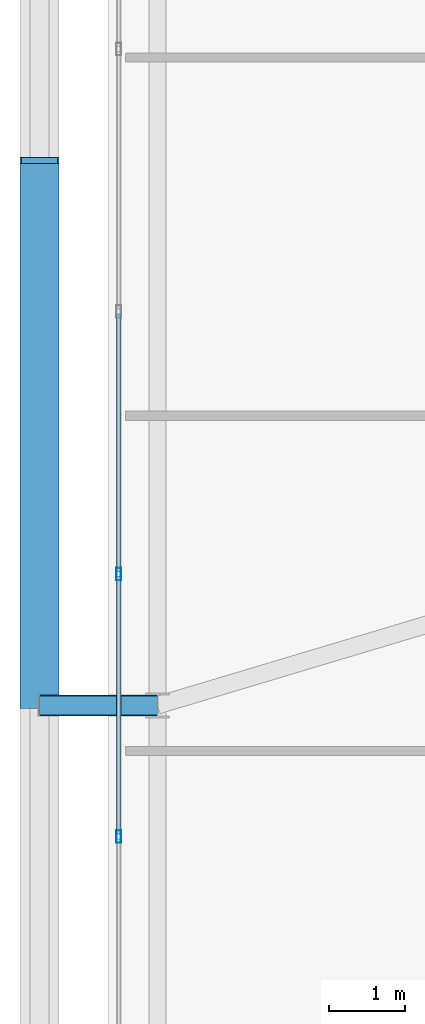
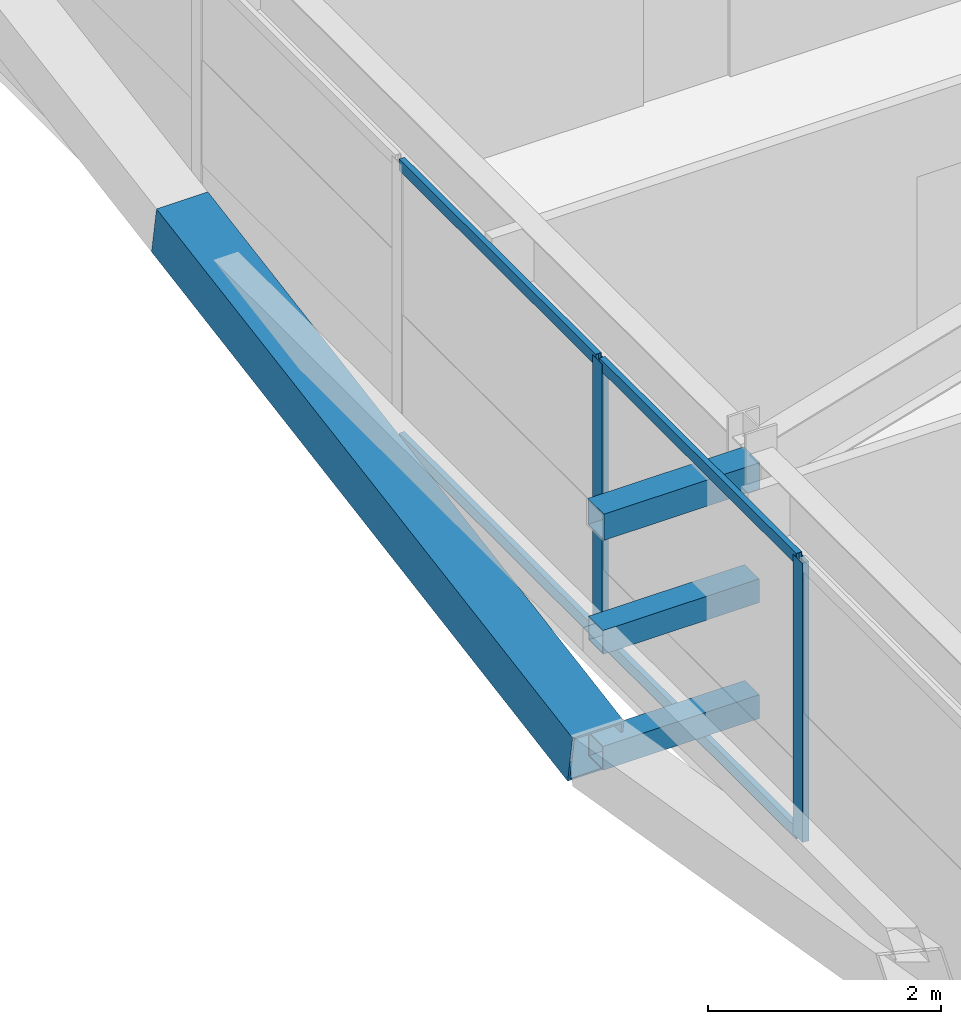
# One storey, part 14 of 59: 10 members, 1 element without a shape of its own.
"""IFC4 building model written with IfcOpenShell, lengths in metres."""

import ifcopenshell
import ifcopenshell.guid

model = None  # the IFC model being written
_history = None  # IfcOwnerHistory: only IFC2X3 demands one
_inside = {}  # id of a spatial element -> (the spatial element, [elements in it])
_under = {}  # id of a project, library or spatial element -> (it, [spatial elements below it])
_declared = {}  # id of a project -> (the project, [libraries it declares])
_typed = {}  # id of a type object -> (the type object, [elements of that type])
_made_of = {}  # id of a material, layer set ... -> (it, [elements and type objects made of it])


def new_model(schema):
    """Start an empty IFC model of exactly this schema.

    Asked for "IFC4X3", IfcOpenShell would pick the latest addendum, in which some entities
    have other attributes; the version numbers below select the first issue.
    IFC2X3 requires an IfcOwnerHistory on every rooted entity: one is made here for all.
    """
    global model, _history
    if schema == "IFC4X3":
        model = ifcopenshell.file(schema_version=(4, 3, 0, 0))
    else:
        model = ifcopenshell.file(schema=schema)
    _inside.clear()
    _under.clear()
    _declared.clear()
    _typed.clear()
    _made_of.clear()
    _history = None
    if model.schema == "IFC2X3":
        org = make("IfcOrganization", Name="unknown")
        user = make(
            "IfcPersonAndOrganization",
            ThePerson=make("IfcPerson", FamilyName="unknown"),
            TheOrganization=org,
        )
        app = make(
            "IfcApplication",
            ApplicationDeveloper=org,
            Version="unknown",
            ApplicationFullName="unknown",
            ApplicationIdentifier="unknown",
        )
        _history = make(
            "IfcOwnerHistory",
            OwningUser=user,
            OwningApplication=app,
            ChangeAction="ADDED",
            CreationDate=0,
        )
    return model


def make(cls, **values):
    """One entity of the class cls with the attributes given. An attribute that is None is left unset."""
    return model.create_entity(
        cls, **{name: value for name, value in values.items() if value is not None}
    )


def rooted(cls, **values):
    """An entity with a GlobalId (a new one), such as an element, a storey or a relation."""
    return make(cls, GlobalId=ifcopenshell.guid.new(), OwnerHistory=_history, **values)


def si_unit(unit_type, name, prefix=None):
    """IfcSIUnit, for example si_unit("LENGTHUNIT", "METRE", prefix="MILLI")."""
    return make("IfcSIUnit", UnitType=unit_type, Prefix=prefix, Name=name)


def assignment(units):
    """IfcUnitAssignment: the units of a project."""
    return None if units is None else make("IfcUnitAssignment", Units=units)


def point(xyz):
    """IfcCartesianPoint."""
    return None if xyz is None else make("IfcCartesianPoint", Coordinates=xyz)


def direction(xyz):
    """IfcDirection."""
    return None if xyz is None else make("IfcDirection", DirectionRatios=xyz)


def frame(location, z_axis=None, x_axis=None):
    """IfcAxis2Placement3D, a coordinate frame: its origin and axes. An axis left out is left unset."""
    return make(
        "IfcAxis2Placement3D",
        Location=point(location),
        Axis=direction(z_axis),
        RefDirection=direction(x_axis),
    )


def frame_2d(location, x_axis=None):
    """IfcAxis2Placement2D, a coordinate frame in the plane: its origin and x axis."""
    return make(
        "IfcAxis2Placement2D", Location=point(location), RefDirection=direction(x_axis)
    )


def origin():
    """The frame at (0, 0, 0) with its axes left unset."""
    return frame((0.0, 0.0, 0.0))


def origin_2d():
    """The frame at (0, 0) in the plane with its x axis left unset."""
    return frame_2d((0.0, 0.0))


def place(relative_to, where):
    """IfcLocalPlacement: puts the frame where relative to a parent placement (None: the world)."""
    return make(
        "IfcLocalPlacement", PlacementRelTo=relative_to, RelativePlacement=where
    )


def context(
    kind, dimensions, precision=None, world=None, true_north=None, identifier=None
):
    """IfcGeometricRepresentationContext, for example the 3D "Model" context."""
    return make(
        "IfcGeometricRepresentationContext",
        ContextIdentifier=identifier,
        ContextType=kind,
        CoordinateSpaceDimension=dimensions,
        Precision=precision,
        WorldCoordinateSystem=world,
        TrueNorth=true_north,
    )


def subcontext(parent, identifier, kind, view, scale=None):
    """IfcGeometricRepresentationSubContext, for example "Body" below "Model"."""
    return make(
        "IfcGeometricRepresentationSubContext",
        ContextIdentifier=identifier,
        ContextType=kind,
        ParentContext=parent,
        TargetScale=scale,
        TargetView=view,
    )


def project(units=None, contexts=None):
    """IfcProject with its units and contexts."""
    return rooted(
        "IfcProject",
        Name="project",
        RepresentationContexts=contexts,
        UnitsInContext=assignment(units),
    )


def spatial(cls, under=None, at=None, **own):
    """A site, building, storey or space (cls), placed at a placement, below another one or the project."""
    s = rooted(cls, ObjectPlacement=at, **own)
    if under is not None:
        _under.setdefault(under.id(), (under, []))[1].append(s)
    return s


def profile(cls, at=None, kind="AREA", **sizes):
    """A parametric profile (cls). Its sizes go by their IFC names, for example OverallWidth=200.0."""
    return make(cls, ProfileType=kind, Position=at, **sizes)


def hollow_rectangle(**sizes):
    """IfcRectangleHollowProfileDef."""
    return profile("IfcRectangleHollowProfileDef", **sizes)


def extrude(swept, where, along, depth):
    """IfcExtrudedAreaSolid: the profile swept, set in the frame where, extruded along a direction by depth."""
    return make(
        "IfcExtrudedAreaSolid",
        SweptArea=swept,
        Position=where,
        ExtrudedDirection=direction(along),
        Depth=depth,
    )


def shape(context_of_items, identifier, shape_type, items):
    """IfcShapeRepresentation: the items that make up one representation, for example the "Body"."""
    return make(
        "IfcShapeRepresentation",
        ContextOfItems=context_of_items,
        RepresentationIdentifier=identifier,
        RepresentationType=shape_type,
        Items=items,
    )


def source(mapping_origin, context_of_items, identifier, shape_type, items):
    """IfcRepresentationMap: a shape defined once, which mapped items show again and again."""
    return make(
        "IfcRepresentationMap",
        MappingOrigin=mapping_origin,
        MappedRepresentation=shape(context_of_items, identifier, shape_type, items),
    )


def transform(
    local_origin,
    x_axis=None,
    y_axis=None,
    z_axis=None,
    scale=None,
    scale2=None,
    scale3=None,
    uniform=True,
):
    """IfcCartesianTransformationOperator3D, or its non-uniform kind. x_axis, y_axis, z_axis: its Axis1, 2, 3."""
    if uniform:
        return make(
            "IfcCartesianTransformationOperator3D",
            Axis1=direction(x_axis),
            Axis2=direction(y_axis),
            LocalOrigin=point(local_origin),
            Scale=scale,
            Axis3=direction(z_axis),
        )
    return make(
        "IfcCartesianTransformationOperator3DnonUniform",
        Axis1=direction(x_axis),
        Axis2=direction(y_axis),
        LocalOrigin=point(local_origin),
        Scale=scale,
        Axis3=direction(z_axis),
        Scale2=scale2,
        Scale3=scale3,
    )


def mapped(mapping_source, mapping_target):
    """IfcMappedItem: shows the shape of a source again, moved by a transform."""
    return make(
        "IfcMappedItem", MappingSource=mapping_source, MappingTarget=mapping_target
    )


def material(Name=None, Category=None):
    """IfcMaterial."""
    return make("IfcMaterial", Name=Name, Category=Category)


def layer(
    of_material, thickness, ventilated=None, Name=None, Category=None, Priority=None
):
    """IfcMaterialLayer: one layer of a wall or slab, of a material (None: an air gap)."""
    return make(
        "IfcMaterialLayer",
        Material=of_material,
        LayerThickness=thickness,
        IsVentilated=ventilated,
        Name=Name,
        Category=Category,
        Priority=Priority,
    )


def layer_set(layers, Name=None):
    """IfcMaterialLayerSet."""
    return make("IfcMaterialLayerSet", MaterialLayers=layers, LayerSetName=Name)


def material_profile(
    of_material, cross_section, Name=None, Category=None, Priority=None
):
    """IfcMaterialProfile: a cross section and its material."""
    return make(
        "IfcMaterialProfile",
        Name=Name,
        Material=of_material,
        Profile=cross_section,
        Priority=Priority,
        Category=Category,
    )


def profile_set(profiles, Name=None, composite=None):
    """IfcMaterialProfileSet."""
    return make(
        "IfcMaterialProfileSet",
        Name=Name,
        MaterialProfiles=profiles,
        CompositeProfile=composite,
    )


def made_of(thing, what):
    """Note that an element or type object is made of a material, layer set ...; save() writes the relation."""
    if what is not None:
        _made_of.setdefault(what.id(), (what, []))[1].append(thing)
    return thing


def type_object(cls, material=None, **own):
    """A type object (cls), such as IfcWallType, which elements share."""
    return made_of(rooted(cls, **own), material)


def element(
    cls,
    number,
    at=None,
    inside=None,
    cuts=None,
    type_object=None,
    material=None,
    context=None,
    identifier="Body",
    shape_type=None,
    held_by="IfcProductDefinitionShape",
    body=None,
    shapes=None,
    **own,
):
    """One element of the class cls, such as IfcWall. Its Tag is "e" and its number.

    at: its placement. inside: the storey or other place that contains it. cuts: it is an
    opening in that element (IfcRelVoidsElement). A single representation is given by context,
    identifier, shape_type and body (its items); several are given by shapes. held_by: the class
    of the entity that holds the representations. save() writes the other relations.
    """
    e = rooted(cls, Tag="e%d" % number, ObjectPlacement=at, **own)
    if body is not None:
        shapes = [shape(context, identifier, shape_type, body)]
    if shapes is not None:
        e.Representation = make(held_by, Representations=shapes)
    if inside is not None:
        _inside.setdefault(inside.id(), (inside, []))[1].append(e)
    if cuts is not None:
        rooted(
            "IfcRelVoidsElement", RelatingBuildingElement=cuts, RelatedOpeningElement=e
        )
    if type_object is not None:
        _typed.setdefault(type_object.id(), (type_object, []))[1].append(e)
    return made_of(e, material)


def aggregate(whole, parts):
    """IfcRelAggregates: a whole, such as a stair, and the parts it consists of."""
    return rooted("IfcRelAggregates", RelatingObject=whole, RelatedObjects=parts)


def save(model, path):
    """Write the relations noted so far, then the file.

    IfcRelAggregates (storeys below a building ...), IfcRelContainedInSpatialStructure (elements
    in a storey), IfcRelDefinesByType, IfcRelAssociatesMaterial and IfcRelDeclares: one each for
    every whole, place, type object, material and project.
    """
    for whole, parts in _under.values():
        aggregate(whole, parts)
    for where, things in _inside.values():
        rooted(
            "IfcRelContainedInSpatialStructure",
            RelatedElements=things,
            RelatingStructure=where,
        )
    for kind, things in _typed.values():
        rooted("IfcRelDefinesByType", RelatedObjects=things, RelatingType=kind)
    for what, things in _made_of.values():
        rooted("IfcRelAssociatesMaterial", RelatedObjects=things, RelatingMaterial=what)
    for by, libraries in _declared.values():
        rooted("IfcRelDeclares", RelatingContext=by, RelatedDefinitions=libraries)
    model.write(path)


model = new_model("IFC4")

# Units and contexts
model_context = context("Model", 3, precision=1e-05, world=origin(), true_north=direction((0.0, 1.0)))
body_context = subcontext(model_context, "Body", "Model", "MODEL_VIEW")
ifc_project = project(units=[si_unit("LENGTHUNIT", "METRE"), si_unit("AREAUNIT", "SQUARE_METRE"), si_unit("VOLUMEUNIT", "CUBIC_METRE"), si_unit("PLANEANGLEUNIT", "RADIAN"), si_unit("MASSUNIT", "GRAM", prefix="KILO")], contexts=[model_context])

# Site, building, storey
site_placement = place(None, origin())
site = spatial("IfcSite", under=ifc_project, at=site_placement, CompositionType="ELEMENT")
building_placement = place(site_placement, origin())
building = spatial("IfcBuilding", under=site, at=building_placement, Name="Taldren Reach Tower", CompositionType="ELEMENT")
storey_placement = place(building_placement, frame((0.0, 0.0, 19.949951171875)))
storey = spatial("IfcBuildingStorey", under=building, at=storey_placement, Name="L05", CompositionType="ELEMENT", Elevation=19.949951171875)

# Members
ifc_material_1 = material(Name="Steel Gr 450 (C450L0)", Category="steel")
ifc_material_profile_1 = material_profile(ifc_material_1, hollow_rectangle(XDim=0.27490234375, YDim=0.27490234375, WallThickness=0.00927734375, at=origin_2d()), Name="275x275x9.3SHS")
ifc_profile_set_1 = profile_set([ifc_material_profile_1], Name="Steel Gr 450 (C450L0)")
member_type_1 = type_object("IfcMemberType", Name="MB-TIE273", PredefinedType="STRUT", material=ifc_profile_set_1)
shared_shape_1 = source(origin(), body_context, "Body", "SweptSolid", [
    extrude(hollow_rectangle(XDim=0.27490234375, YDim=0.27490234375, WallThickness=0.00927734375, at=origin_2d()), origin(), (0.0, 0.0, 1.0), 1.5498046875),
])
member_1_placement = place(storey_placement, frame((5.64990234375, 20.0, 2.650146484375), z_axis=(-1.0, 0.0, 0.0), x_axis=(0.0, -1.0, 0.0)))
element("IfcMember", 1, at=member_1_placement, inside=storey, type_object=member_type_1, Name="Exoskeleton diaphragm tie strut B1-W2 L05", PredefinedType="STRUT", context=body_context, shape_type="MappedRepresentation", body=[
    mapped(shared_shape_1, transform((0.0, 0.0, 0.0), scale=1.0)),
])
ifc_material_2 = material(Name="Steel Gr 350 (C350L0)", Category="steel")
ifc_material_profile_2 = material_profile(ifc_material_2, hollow_rectangle(XDim=0.25, YDim=0.25, WallThickness=0.010009765625, at=origin_2d()), Name="250x250x10.0SHS")
ifc_profile_set_2 = profile_set([ifc_material_profile_2], Name="Steel Gr 350 (C350L0)")
member_type_2 = type_object("IfcMemberType", Name="MB-POST250", PredefinedType="POST", material=ifc_profile_set_2)
shared_shape_2 = source(origin(), body_context, "Body", "SweptSolid", [
    extrude(hollow_rectangle(XDim=0.25, YDim=0.25, WallThickness=0.010009765625, at=origin_2d()), origin(), (0.0, 0.0, 1.0), 1.5498046875),
])
for number, where, z_axis, x_axis, name in (
    (2, (5.64990234375, 20.0, 0.219970703125), (-1.0, 0.0, 0.0), (0.0, -1.0, 0.0), "Exoskeleton base diaphragm tie strut B1-W2 L05"),
    (3, (5.64990234375, 20.0, 1.43505859375), (-1.0, 0.0, 0.0), (0.0, -1.0, 0.0), "Exoskeleton mid-tier diaphragm tie B1-W2 L05"),
):
    element("IfcMember", number, at=place(storey_placement, frame(where, z_axis=z_axis, x_axis=x_axis)), inside=storey, type_object=member_type_2, Name=name, PredefinedType="POST", context=body_context, shape_type="MappedRepresentation", body=[
        mapped(shared_shape_2, transform((0.0, 0.0, 0.0), scale=1.0)),
    ])
ifc_material_profile_3 = material_profile(ifc_material_1, hollow_rectangle(XDim=0.510009765625, YDim=0.510009765625, WallThickness=0.02001953125, at=origin_2d()), Name="510x510x20.0SHS")
ifc_profile_set_3 = profile_set([ifc_material_profile_3], Name="Steel Gr 450 (C450L0)")
member_type_3 = type_object("IfcMemberType", Name="MB-EXO508", PredefinedType="BRACE", material=ifc_profile_set_3)
shared_shape_3 = source(origin(), body_context, "Body", "SweptSolid", [
    extrude(hollow_rectangle(XDim=0.510009765625, YDim=0.510009765625, WallThickness=0.02001953125, at=origin_2d()), origin(), (0.0, 0.0, 1.0), 7.25244140625),
])
member_2_placement = place(storey_placement, frame((4.10009765625, 20.0, 0.219970703125), z_axis=(0.0, 0.985864855729, 0.167542490848), x_axis=(-1.0, 0.0, 0.0)))
element("IfcMember", 4, at=member_2_placement, inside=storey, type_object=member_type_3, Name="Exoskeleton Diagrid Brace B1-W2 L05", PredefinedType="BRACE", context=body_context, shape_type="MappedRepresentation", body=[
    mapped(shared_shape_3, transform((0.0, 0.0, 0.0), scale=1.0)),
])

# Curtain wall, members
ifc_material_3 = material(Name="Aluminium and Low-E Glass Unitised System", Category="aluminium")
ifc_layer = layer(ifc_material_3, 0.159912109375)
ifc_layer_set = layer_set([ifc_layer], Name="Aluminium and Low-E Glass Unitised System")
curtain_wall_type = type_object("IfcCurtainWallType", Name="CW-SYS-2", PredefinedType="NOTDEFINED", material=ifc_layer_set)
curtain_wall_placement = place(storey_placement, origin())
curtain_wall = element("IfcCurtainWall", 5, at=curtain_wall_placement, inside=storey, type_object=curtain_wall_type, Name="Unitised curtain wall CW-L05-W", PredefinedType="NOTDEFINED")
ifc_material_4 = material(Name="Anodised Aluminium 6063-T6", Category="aluminium")
ifc_material_profile_4 = material_profile(ifc_material_4, hollow_rectangle(XDim=0.06494140625, YDim=0.1650390625, WallThickness=0.00390625, at=origin_2d()), Name="ALU-165x65x4RHS")
ifc_profile_set_4 = profile_set([ifc_material_profile_4], Name="Anodised Aluminium 6063-T6")
member_type_4 = type_object("IfcMemberType", Name="CW-MUL-165", PredefinedType="MULLION", material=ifc_profile_set_4)
shared_shape_4 = source(origin(), body_context, "Body", "SweptSolid", [
    extrude(hollow_rectangle(XDim=0.06494140625, YDim=0.1650390625, WallThickness=0.00390625, at=origin_2d()), origin(), (0.0, 0.0, 1.0), 2.929931640625),
])
member_3_placement = place(storey_placement, frame((5.139892578125, 21.72216796875, 0.0), z_axis=(0.0, 0.0, 1.0), x_axis=(1.0, 0.0, 0.0)))
member_3 = element("IfcMember", 6, at=member_3_placement, type_object=member_type_4, Name="CW-2 mullion 5", PredefinedType="MULLION", context=body_context, shape_type="MappedRepresentation", body=[
    mapped(shared_shape_4, transform((0.0, 0.0, 0.0), scale=1.0)),
])
member_4_placement = place(storey_placement, frame((5.139892578125, 18.27783203125, 0.0), z_axis=(0.0, 0.0, 1.0), x_axis=(1.0, 0.0, 0.0)))
member_4 = element("IfcMember", 7, at=member_4_placement, type_object=member_type_4, Name="CW-2 mullion 6", PredefinedType="MULLION", context=body_context, shape_type="MappedRepresentation", body=[
    mapped(shared_shape_4, transform((0.0, 0.0, 0.0), scale=1.0)),
])
ifc_material_profile_5 = material_profile(ifc_material_4, hollow_rectangle(XDim=0.054931640625, YDim=0.1201171875, WallThickness=0.0029296875, at=origin_2d()), Name="ALU-120x55x3RHS")
ifc_profile_set_5 = profile_set([ifc_material_profile_5], Name="Anodised Aluminium 6063-T6")
member_type_5 = type_object("IfcMemberType", Name="CW-TRN-135", PredefinedType="USERDEFINED", material=ifc_profile_set_5)
shared_shape_5 = source(origin(), body_context, "Body", "SweptSolid", [
    extrude(hollow_rectangle(XDim=0.054931640625, YDim=0.1201171875, WallThickness=0.0029296875, at=origin_2d()), origin(), (0.0, 0.0, 1.0), 3.37939453125),
])
member_5_placement = place(storey_placement, frame((5.139892578125, 21.689697265625, 0.027587890625), z_axis=(0.0, -1.0, 0.0), x_axis=(1.0, 0.0, 0.0)))
member_5 = element("IfcMember", 8, at=member_5_placement, type_object=member_type_5, Name="CW-2 transom 5.1", ObjectType="TRANSOM", PredefinedType="USERDEFINED", context=body_context, shape_type="MappedRepresentation", body=[
    mapped(shared_shape_5, transform((0.0, 0.0, 0.0), scale=1.0)),
])
member_6_placement = place(storey_placement, frame((5.139892578125, 21.689697265625, 2.902587890625), z_axis=(0.0, -1.0, 0.0), x_axis=(1.0, 0.0, 0.0)))
member_6 = element("IfcMember", 9, at=member_6_placement, type_object=member_type_5, Name="CW-2 transom 5.2", ObjectType="TRANSOM", PredefinedType="USERDEFINED", context=body_context, shape_type="MappedRepresentation", body=[
    mapped(shared_shape_5, transform((0.0, 0.0, 0.0), scale=1.0)),
])
shared_shape_6 = source(origin(), body_context, "Body", "SweptSolid", [
    extrude(hollow_rectangle(XDim=0.054931640625, YDim=0.1201171875, WallThickness=0.0029296875, at=origin_2d()), origin(), (0.0, 0.0, 1.0), 3.379638671875),
])
member_7_placement = place(storey_placement, frame((5.139892578125, 25.13427734375, 0.027587890625), z_axis=(0.0, -1.0, 0.0), x_axis=(1.0, 0.0, 0.0)))
member_7 = element("IfcMember", 10, at=member_7_placement, type_object=member_type_5, Name="CW-2 transom 4.1", ObjectType="TRANSOM", PredefinedType="USERDEFINED", context=body_context, shape_type="MappedRepresentation", body=[
    mapped(shared_shape_6, transform((0.0, 0.0, 0.0), scale=1.0)),
])
member_8_placement = place(storey_placement, frame((5.139892578125, 25.13427734375, 2.902587890625), z_axis=(0.0, -1.0, 0.0), x_axis=(1.0, 0.0, 0.0)))
member_8 = element("IfcMember", 11, at=member_8_placement, type_object=member_type_5, Name="CW-2 transom 4.2", ObjectType="TRANSOM", PredefinedType="USERDEFINED", context=body_context, shape_type="MappedRepresentation", body=[
    mapped(shared_shape_6, transform((0.0, 0.0, 0.0), scale=1.0)),
])
aggregate(curtain_wall, [member_3, member_4, member_7, member_8, member_5, member_6])

save(model, "model.ifc")
